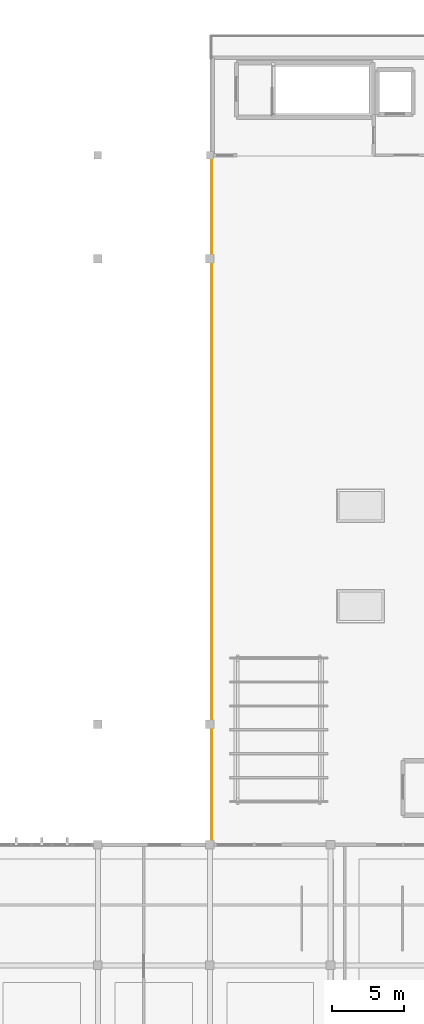
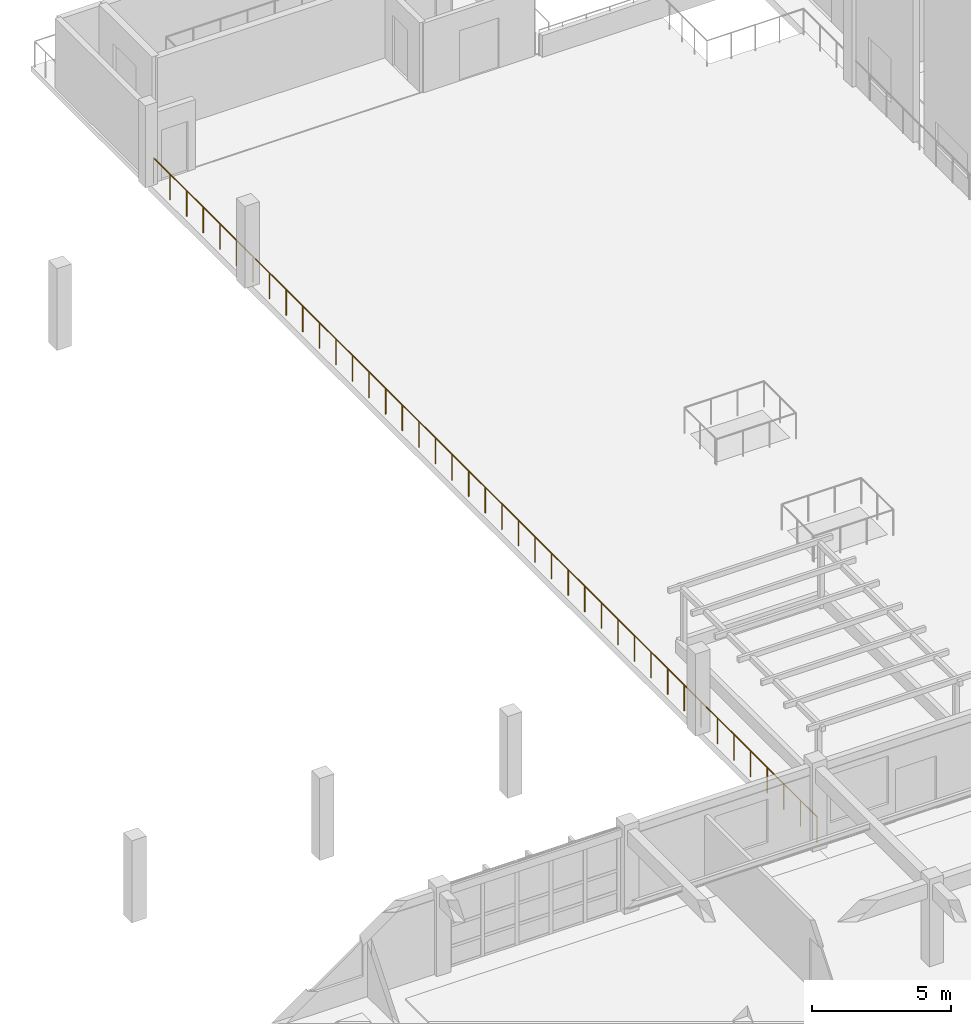
# One storey, part 60 of 67: 1 railing.
"""IFC4 building model written with IfcOpenShell, lengths in metres."""

from ifc_helpers import new_model, si_unit, direction, frame, origin, origin_2d, place, context, subcontext, project, spatial, circle, extrude, material, type_object, element, save


model = new_model("IFC4")

# Units and contexts
model_context = context("Model", 3, precision=1e-05, world=origin(), true_north=direction((0.0, 1.0)))
body_context = subcontext(model_context, "Body", "Model", "MODEL_VIEW")
ifc_project = project(units=[si_unit("LENGTHUNIT", "METRE"), si_unit("AREAUNIT", "SQUARE_METRE"), si_unit("VOLUMEUNIT", "CUBIC_METRE"), si_unit("PLANEANGLEUNIT", "RADIAN"), si_unit("MASSUNIT", "GRAM", prefix="KILO")], contexts=[model_context])

# Site, building, storey
site_placement = place(None, origin())
site = spatial("IfcSite", under=ifc_project, at=site_placement, CompositionType="ELEMENT")
building_placement = place(site_placement, origin())
building = spatial("IfcBuilding", under=site, at=building_placement, Name="Tizgana Railside Sports Hall", CompositionType="ELEMENT")
storey_placement = place(building_placement, frame((0.0, 0.0, 12.0)))
storey = spatial("IfcBuildingStorey", under=building, at=storey_placement, Name="L02", CompositionType="ELEMENT", Elevation=12.0)

# Railing
ifc_material = material(Name="Anodised aluminium", Category="aluminium")
railing_type = type_object("IfcRailingType", Name="Terrace & Track Guard 1150", PredefinedType="BALUSTRADE", material=ifc_material)
railing_placement = place(storey_placement, frame((54.75, 32.550048828125, 0.0)))
element("IfcRailing", 1, at=railing_placement, inside=storey, type_object=railing_type, Name="L02 Safety Guard GRD-0001", PredefinedType="BALUSTRADE", context=body_context, shape_type="SweptSolid", body=[
    extrude(circle(Radius=0.02392578125, at=origin_2d()), frame((0.0, 0.0, 1.1259765625), z_axis=(0.0, 1.0, 0.0), x_axis=(-1.0, 0.0, 0.0)), (0.0, 0.0, 1.0), 47.699951171875),
    extrude(circle(Radius=0.02099609375, at=origin_2d()), origin(), (0.0, 0.0, 1.0), 1.101806640625),
    extrude(circle(Radius=0.02099609375, at=origin_2d()), frame((0.0, 1.1923828125, 0.0)), (0.0, 0.0, 1.0), 1.101806640625),
    extrude(circle(Radius=0.02099609375, at=origin_2d()), frame((0.0, 2.385009765625, 0.0)), (0.0, 0.0, 1.0), 1.101806640625),
    extrude(circle(Radius=0.02099609375, at=origin_2d()), frame((0.0, 3.577392578125, 0.0)), (0.0, 0.0, 1.0), 1.101806640625),
    extrude(circle(Radius=0.02099609375, at=origin_2d()), frame((0.0, 4.77001953125, 0.0)), (0.0, 0.0, 1.0), 1.101806640625),
    extrude(circle(Radius=0.02099609375, at=origin_2d()), frame((0.0, 5.96240234375, 0.0)), (0.0, 0.0, 1.0), 1.101806640625),
    extrude(circle(Radius=0.02099609375, at=origin_2d()), frame((0.0, 7.155029296875, 0.0)), (0.0, 0.0, 1.0), 1.101806640625),
    extrude(circle(Radius=0.02099609375, at=origin_2d()), frame((0.0, 8.347412109375, 0.0)), (0.0, 0.0, 1.0), 1.101806640625),
    extrude(circle(Radius=0.02099609375, at=origin_2d()), frame((0.0, 9.5400390625, 0.0)), (0.0, 0.0, 1.0), 1.101806640625),
    extrude(circle(Radius=0.02099609375, at=origin_2d()), frame((0.0, 10.732421875, 0.0)), (0.0, 0.0, 1.0), 1.101806640625),
    extrude(circle(Radius=0.02099609375, at=origin_2d()), frame((0.0, 11.925048828125, 0.0)), (0.0, 0.0, 1.0), 1.101806640625),
    extrude(circle(Radius=0.02099609375, at=origin_2d()), frame((0.0, 13.117431640625, 0.0)), (0.0, 0.0, 1.0), 1.101806640625),
    extrude(circle(Radius=0.02099609375, at=origin_2d()), frame((0.0, 14.31005859375, 0.0)), (0.0, 0.0, 1.0), 1.101806640625),
    extrude(circle(Radius=0.02099609375, at=origin_2d()), frame((0.0, 15.50244140625, 0.0)), (0.0, 0.0, 1.0), 1.101806640625),
    extrude(circle(Radius=0.02099609375, at=origin_2d()), frame((0.0, 16.695068359375, 0.0)), (0.0, 0.0, 1.0), 1.101806640625),
    extrude(circle(Radius=0.02099609375, at=origin_2d()), frame((0.0, 17.887451171875, 0.0)), (0.0, 0.0, 1.0), 1.101806640625),
    extrude(circle(Radius=0.02099609375, at=origin_2d()), frame((0.0, 19.080078125, 0.0)), (0.0, 0.0, 1.0), 1.101806640625),
    extrude(circle(Radius=0.02099609375, at=origin_2d()), frame((0.0, 20.2724609375, 0.0)), (0.0, 0.0, 1.0), 1.101806640625),
    extrude(circle(Radius=0.02099609375, at=origin_2d()), frame((0.0, 21.465087890625, 0.0)), (0.0, 0.0, 1.0), 1.101806640625),
    extrude(circle(Radius=0.02099609375, at=origin_2d()), frame((0.0, 22.657470703125, 0.0)), (0.0, 0.0, 1.0), 1.101806640625),
    extrude(circle(Radius=0.02099609375, at=origin_2d()), frame((0.0, 23.85009765625, 0.0)), (0.0, 0.0, 1.0), 1.101806640625),
    extrude(circle(Radius=0.02099609375, at=origin_2d()), frame((0.0, 25.04248046875, 0.0)), (0.0, 0.0, 1.0), 1.101806640625),
    extrude(circle(Radius=0.02099609375, at=origin_2d()), frame((0.0, 26.23486328125, 0.0)), (0.0, 0.0, 1.0), 1.101806640625),
    extrude(circle(Radius=0.02099609375, at=origin_2d()), frame((0.0, 27.427490234375, 0.0)), (0.0, 0.0, 1.0), 1.101806640625),
    extrude(circle(Radius=0.02099609375, at=origin_2d()), frame((0.0, 28.619873046875, 0.0)), (0.0, 0.0, 1.0), 1.101806640625),
    extrude(circle(Radius=0.02099609375, at=origin_2d()), frame((0.0, 29.8125, 0.0)), (0.0, 0.0, 1.0), 1.101806640625),
    extrude(circle(Radius=0.02099609375, at=origin_2d()), frame((0.0, 31.0048828125, 0.0)), (0.0, 0.0, 1.0), 1.101806640625),
    extrude(circle(Radius=0.02099609375, at=origin_2d()), frame((0.0, 32.197509765625, 0.0)), (0.0, 0.0, 1.0), 1.101806640625),
    extrude(circle(Radius=0.02099609375, at=origin_2d()), frame((0.0, 33.389892578125, 0.0)), (0.0, 0.0, 1.0), 1.101806640625),
    extrude(circle(Radius=0.02099609375, at=origin_2d()), frame((0.0, 34.58251953125, 0.0)), (0.0, 0.0, 1.0), 1.101806640625),
    extrude(circle(Radius=0.02099609375, at=origin_2d()), frame((0.0, 35.77490234375, 0.0)), (0.0, 0.0, 1.0), 1.101806640625),
    extrude(circle(Radius=0.02099609375, at=origin_2d()), frame((0.0, 36.967529296875, 0.0)), (0.0, 0.0, 1.0), 1.101806640625),
    extrude(circle(Radius=0.02099609375, at=origin_2d()), frame((0.0, 38.159912109375, 0.0)), (0.0, 0.0, 1.0), 1.101806640625),
    extrude(circle(Radius=0.02099609375, at=origin_2d()), frame((0.0, 39.3525390625, 0.0)), (0.0, 0.0, 1.0), 1.101806640625),
    extrude(circle(Radius=0.02099609375, at=origin_2d()), frame((0.0, 40.544921875, 0.0)), (0.0, 0.0, 1.0), 1.101806640625),
    extrude(circle(Radius=0.02099609375, at=origin_2d()), frame((0.0, 41.737548828125, 0.0)), (0.0, 0.0, 1.0), 1.101806640625),
    extrude(circle(Radius=0.02099609375, at=origin_2d()), frame((0.0, 42.929931640625, 0.0)), (0.0, 0.0, 1.0), 1.101806640625),
    extrude(circle(Radius=0.02099609375, at=origin_2d()), frame((0.0, 44.12255859375, 0.0)), (0.0, 0.0, 1.0), 1.101806640625),
    extrude(circle(Radius=0.02099609375, at=origin_2d()), frame((0.0, 45.31494140625, 0.0)), (0.0, 0.0, 1.0), 1.101806640625),
    extrude(circle(Radius=0.02099609375, at=origin_2d()), frame((0.0, 46.507568359375, 0.0)), (0.0, 0.0, 1.0), 1.101806640625),
    extrude(circle(Radius=0.02099609375, at=origin_2d()), frame((0.0, 47.699951171875, 0.0)), (0.0, 0.0, 1.0), 1.101806640625),
])

save(model, "model.ifc")
